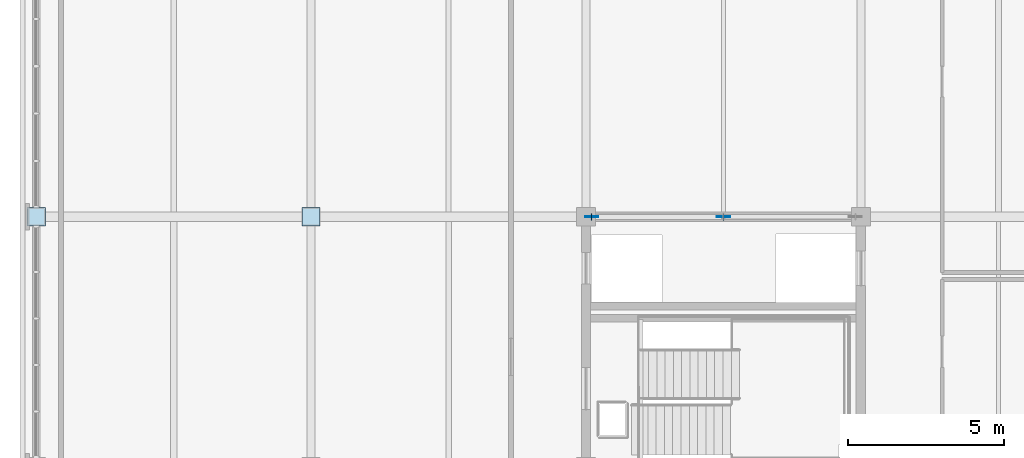
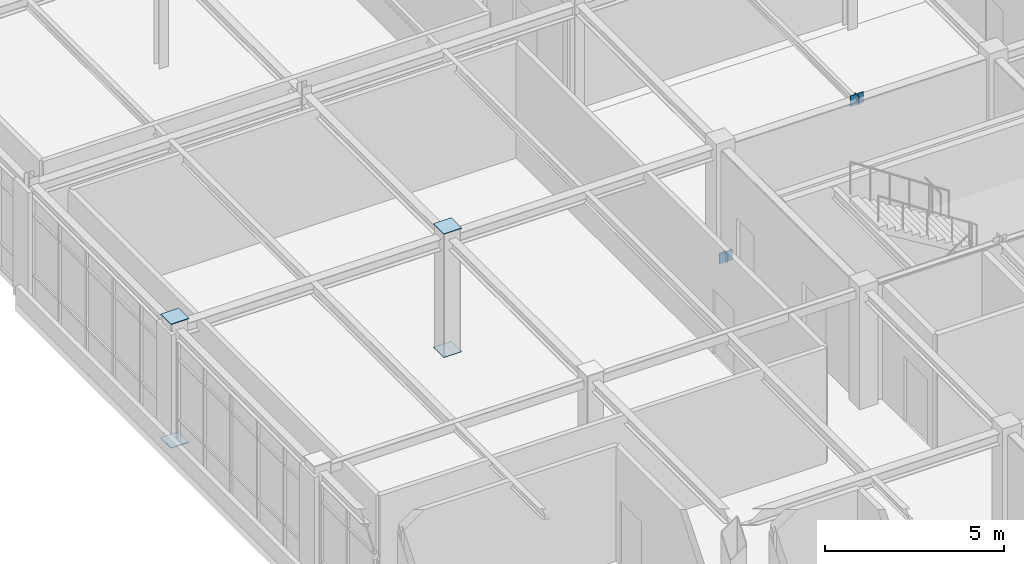
# One storey, part 58 of 88: 8 plates.
"""IFC4 building model written with IfcOpenShell, lengths in metres."""

from ifc_helpers import new_model, si_unit, direction, frame, origin, origin_2d, place, context, subcontext, project, spatial, rectangle, extrude, material, layer, layer_set, type_object, element, save


model = new_model("IFC4")

# Units and contexts
model_context = context("Model", 3, precision=1e-05, world=origin(), true_north=direction((0.0, 1.0)))
body_context = subcontext(model_context, "Body", "Model", "MODEL_VIEW")
ifc_project = project(units=[si_unit("LENGTHUNIT", "METRE"), si_unit("AREAUNIT", "SQUARE_METRE"), si_unit("VOLUMEUNIT", "CUBIC_METRE"), si_unit("PLANEANGLEUNIT", "RADIAN"), si_unit("MASSUNIT", "GRAM", prefix="KILO")], contexts=[model_context])

# Site, building, storey
site_placement = place(None, origin())
site = spatial("IfcSite", under=ifc_project, at=site_placement, CompositionType="ELEMENT")
building_placement = place(site_placement, origin())
building = spatial("IfcBuilding", under=site, at=building_placement, Name="Zhaolan Boulevard Law Courts", CompositionType="ELEMENT")
storey_placement = place(building_placement, frame((0.0, 0.0, 16.199951171875)))
storey = spatial("IfcBuildingStorey", under=building, at=storey_placement, Name="L03", CompositionType="ELEMENT", Elevation=16.199951171875)

# Plates
ifc_material_1 = material(Name="Structural steel Q355B", Category="steel")
ifc_layer_1 = layer(ifc_material_1, 0.02392578125)
ifc_layer_set_1 = layer_set([ifc_layer_1])
plate_type_1 = type_object("IfcPlateType", Name="BRACE GUSSET PLATE 24", PredefinedType="SHEET", material=ifc_layer_set_1)
for number, where, z_axis, x_axis, name in (
    (1, (17.780029296875, 70.0, -0.14990234375), (0.0, 0.0, 1.0), (1.0, 0.0, 0.0), "Brace Gusset Connection Plate GP-W2-L03-NA1"),
    (2, (22.0, 70.0, 3.740234375), (0.0, 0.0, 1.0), (1.0, 0.0, 0.0), "Brace Gusset Connection Plate GP-W2-L03-NAPX"),
):
    element("IfcPlate", number, at=place(storey_placement, frame(where, z_axis=z_axis, x_axis=x_axis)), inside=storey, type_object=plate_type_1, Name=name, PredefinedType="SHEET", context=body_context, shape_type="SweptSolid", body=[
        extrude(rectangle(XDim=0.419921875, YDim=0.02392578125, at=origin_2d()), origin(), (0.0, 0.0, 1.0), 0.360107421875),
    ])
ifc_material_2 = material(Name="Structural steel Q355B", Category="steel")
ifc_layer_2 = layer(ifc_material_2, 0.02001953125)
ifc_layer_set_2 = layer_set([ifc_layer_2])
plate_type_2 = type_object("IfcPlateType", Name="END CAP PLATE 20", PredefinedType="SHEET", material=ifc_layer_set_2)
for number, where, z_axis, x_axis, name in (
    (3, (0.0, 70.0, -0.01806640625), (0.0, 0.0, 1.0), (1.0, 0.0, 0.0), "Hollow Section End-Cap Plate ECP-0117"),
    (4, (0.0, 70.0, 4.197998046875), (0.0, 0.0, 1.0), (1.0, 0.0, 0.0), "Hollow Section End-Cap Plate ECP-0118"),
    (5, (8.800048828125, 70.0, -0.01806640625), (0.0, 0.0, 1.0), (1.0, 0.0, 0.0), "Hollow Section End-Cap Plate ECP-0251"),
    (6, (8.800048828125, 70.0, 4.197998046875), (0.0, 0.0, 1.0), (1.0, 0.0, 0.0), "Hollow Section End-Cap Plate ECP-0252"),
):
    element("IfcPlate", number, at=place(storey_placement, frame(where, z_axis=z_axis, x_axis=x_axis)), inside=storey, type_object=plate_type_2, Name=name, PredefinedType="SHEET", context=body_context, shape_type="SweptSolid", body=[
        extrude(rectangle(XDim=0.580078125, YDim=0.580078125, at=origin_2d()), origin(), (0.0, 0.0, 1.0), 0.02001953125),
    ])
for number, where, z_axis, x_axis, name in (
    (7, (17.774169921875, 70.0, -0.1181640625), (0.0, 0.0, 1.0), (1.0, 0.0, 0.0), "Hollow Section End-Cap Plate ECP-1167"),
    (8, (22.005859375, 70.0, 3.78271484375), (0.0, 0.0, 1.0), (1.0, 0.0, 0.0), "Hollow Section End-Cap Plate ECP-1168"),
):
    element("IfcPlate", number, at=place(storey_placement, frame(where, z_axis=z_axis, x_axis=x_axis)), inside=storey, type_object=plate_type_2, Name=name, PredefinedType="SHEET", context=body_context, shape_type="SweptSolid", body=[
        extrude(rectangle(XDim=0.02001953125, YDim=0.2099609375, at=origin_2d()), origin(), (0.0, 0.0, 1.0), 0.285888671875),
    ])

save(model, "model.ifc")
